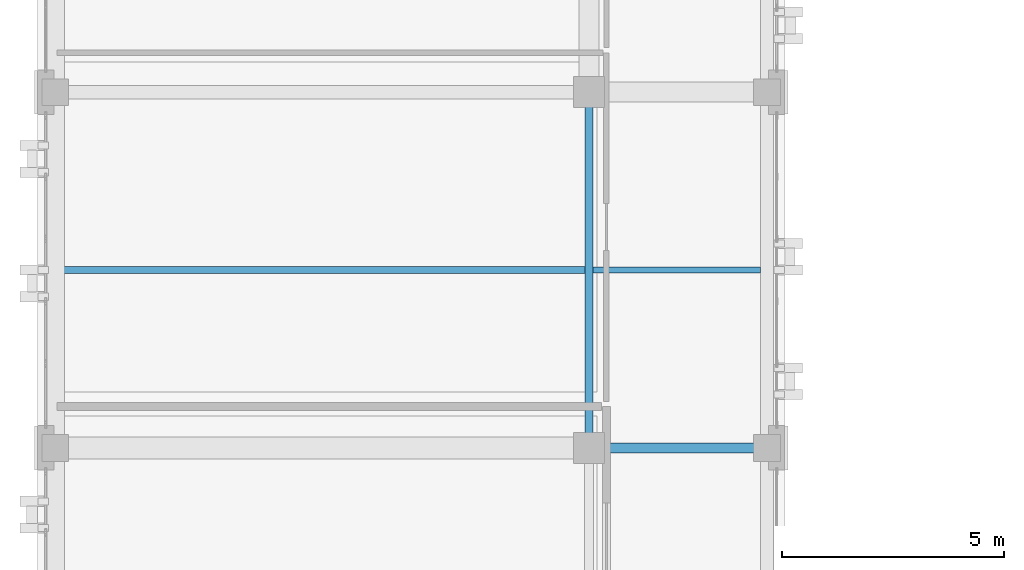
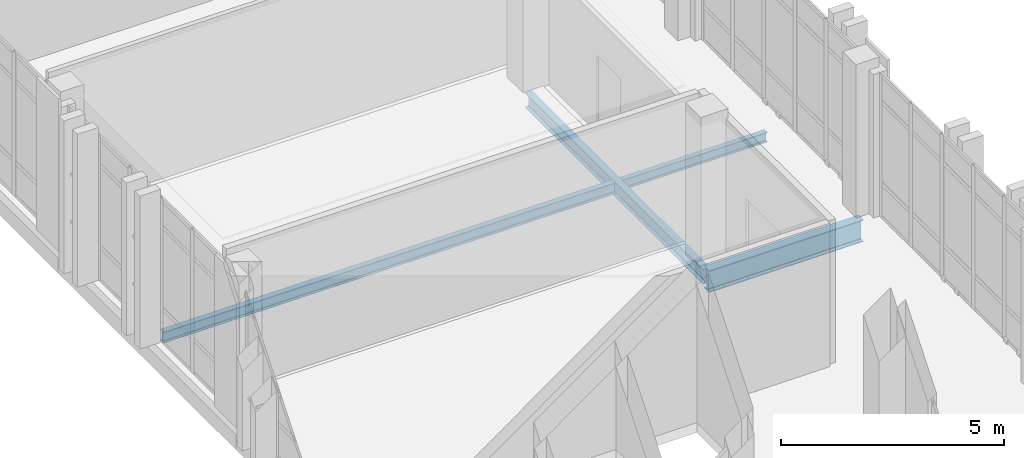
# One storey, part 11 of 77: 4 beams.
"""IFC4 building model written with IfcOpenShell, lengths in metres."""

from ifc_helpers import new_model, si_unit, direction, frame, origin, origin_2d, place, context, subcontext, project, spatial, i_section, extrude, material, material_profile, profile_set, type_object, element, save


model = new_model("IFC4")

# Units and contexts
model_context = context("Model", 3, precision=1e-05, world=origin(), true_north=direction((0.0, 1.0)))
body_context = subcontext(model_context, "Body", "Model", "MODEL_VIEW")
ifc_project = project(units=[si_unit("LENGTHUNIT", "METRE"), si_unit("AREAUNIT", "SQUARE_METRE"), si_unit("VOLUMEUNIT", "CUBIC_METRE"), si_unit("PLANEANGLEUNIT", "RADIAN"), si_unit("MASSUNIT", "GRAM", prefix="KILO")], contexts=[model_context])

# Site, building, storey
site_placement = place(None, origin())
site = spatial("IfcSite", under=ifc_project, at=site_placement, CompositionType="ELEMENT")
building_placement = place(site_placement, origin())
building = spatial("IfcBuilding", under=site, at=building_placement, Name="Qalavern Law Courts", CompositionType="ELEMENT")
storey_placement = place(building_placement, frame((0.0, 0.0, 27.0)))
storey = spatial("IfcBuildingStorey", under=building, at=storey_placement, Name="L06", CompositionType="ELEMENT", Elevation=27.0)

# Beams
ifc_material = material(Name="Steel S355", Category="steel")
ifc_material_profile_1 = material_profile(ifc_material, i_section(OverallWidth=0.179931640625, OverallDepth=0.39990234375, WebThickness=0.008544921875, FlangeThickness=0.013427734375, FilletRadius=0.02099609375, at=origin_2d()), Name="IPE 400")
ifc_profile_set_1 = profile_set([ifc_material_profile_1], Name="Steel S355")
beam_type_1 = type_object("IfcBeamType", Name="STR-BM-IPE400", PredefinedType="BEAM", material=ifc_profile_set_1)
beam_1_placement = place(storey_placement, frame((14.39990234375, 57.39990234375, -0.469970703125), z_axis=(0.0, 1.0, 0.0), x_axis=(-1.0, 0.0, 0.0)))
element("IfcBeam", 1, at=beam_1_placement, inside=storey, type_object=beam_type_1, Name="V3 Y-beam 2-3 L06", PredefinedType="BEAM", context=body_context, shape_type="SweptSolid", body=[
    extrude(i_section(OverallWidth=0.179931640625, OverallDepth=0.39990234375, WebThickness=0.008544921875, FlangeThickness=0.013427734375, FilletRadius=0.02099609375, at=origin_2d()), origin(), (0.0, 0.0, 1.0), 8.0),
])
ifc_material_profile_2 = material_profile(ifc_material, i_section(OverallWidth=0.219970703125, OverallDepth=0.60009765625, WebThickness=0.011962890625, FlangeThickness=0.01904296875, FilletRadius=0.02392578125, at=origin_2d()), Name="IPE 600")
ifc_profile_set_2 = profile_set([ifc_material_profile_2], Name="Steel S355")
beam_type_2 = type_object("IfcBeamType", Name="STR-BM-IPE600", PredefinedType="BEAM", material=ifc_profile_set_2)
beam_2_placement = place(storey_placement, frame((14.39990234375, 57.39990234375, -0.570068359375), z_axis=(1.0, 0.0, 0.0), x_axis=(0.0, 1.0, 0.0)))
element("IfcBeam", 2, at=beam_2_placement, inside=storey, type_object=beam_type_2, Name="V3 X-beam 3-2 L06", PredefinedType="BEAM", context=body_context, shape_type="SweptSolid", body=[
    extrude(i_section(OverallWidth=0.219970703125, OverallDepth=0.60009765625, WebThickness=0.011962890625, FlangeThickness=0.01904296875, FilletRadius=0.02392578125, at=origin_2d()), origin(), (0.0, 0.0, 1.0), 4.0),
])
ifc_material_profile_3 = material_profile(ifc_material, i_section(OverallWidth=0.135009765625, OverallDepth=0.27001953125, WebThickness=0.006591796875, FlangeThickness=0.01025390625, FilletRadius=0.014892578125, at=origin_2d()), Name="IPE 270")
ifc_profile_set_3 = profile_set([ifc_material_profile_3], Name="Steel S355")
beam_type_3 = type_object("IfcBeamType", Name="STR-JST-IPE270", PredefinedType="JOIST", material=ifc_profile_set_3)
beam_3_placement = place(storey_placement, frame((14.488037109375, 61.39990234375, -0.405029296875), z_axis=(1.0, 0.0, 0.0), x_axis=(0.0, 1.0, 0.0)))
element("IfcBeam", 3, at=beam_3_placement, inside=storey, type_object=beam_type_3, Name="V3 secondary joist 2.3.1 L06", PredefinedType="JOIST", context=body_context, shape_type="SweptSolid", body=[
    extrude(i_section(OverallWidth=0.135009765625, OverallDepth=0.27001953125, WebThickness=0.006591796875, FlangeThickness=0.01025390625, FilletRadius=0.014892578125, at=origin_2d()), origin(), (0.0, 0.0, 1.0), 3.763916015625),
])
ifc_material_profile_4 = material_profile(ifc_material, i_section(OverallWidth=0.14990234375, OverallDepth=0.300048828125, WebThickness=0.007080078125, FlangeThickness=0.0107421875, FilletRadius=0.014892578125, at=origin_2d()), Name="IPE 300")
ifc_profile_set_4 = profile_set([ifc_material_profile_4], Name="Steel S355")
beam_type_4 = type_object("IfcBeamType", Name="STR-JST-IPE300", PredefinedType="JOIST", material=ifc_profile_set_4)
beam_4_placement = place(storey_placement, frame((2.597900390625, 61.39990234375, -0.419921875), z_axis=(1.0, 0.0, 0.0), x_axis=(0.0, 1.0, 0.0)))
element("IfcBeam", 4, at=beam_4_placement, inside=storey, type_object=beam_type_4, Name="V3 secondary joist 1.3.1 L06", PredefinedType="JOIST", context=body_context, shape_type="SweptSolid", body=[
    extrude(i_section(OverallWidth=0.14990234375, OverallDepth=0.300048828125, WebThickness=0.007080078125, FlangeThickness=0.0107421875, FilletRadius=0.014892578125, at=origin_2d()), origin(), (0.0, 0.0, 1.0), 11.714111328125),
])

save(model, "model.ifc")
